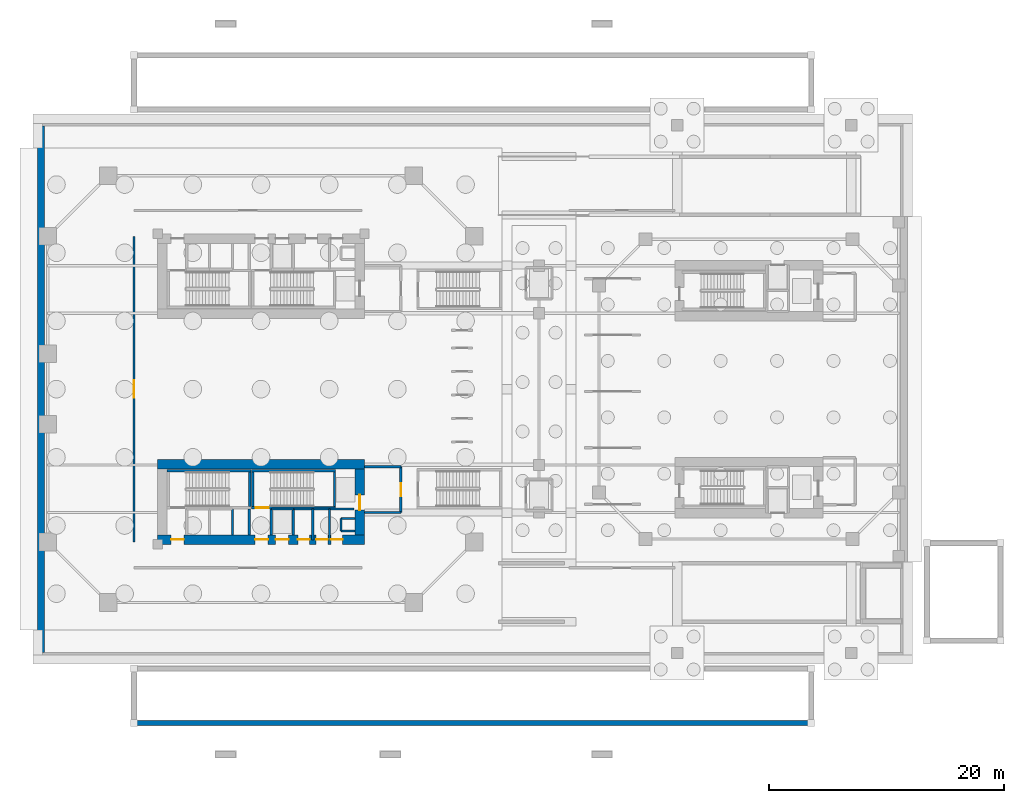
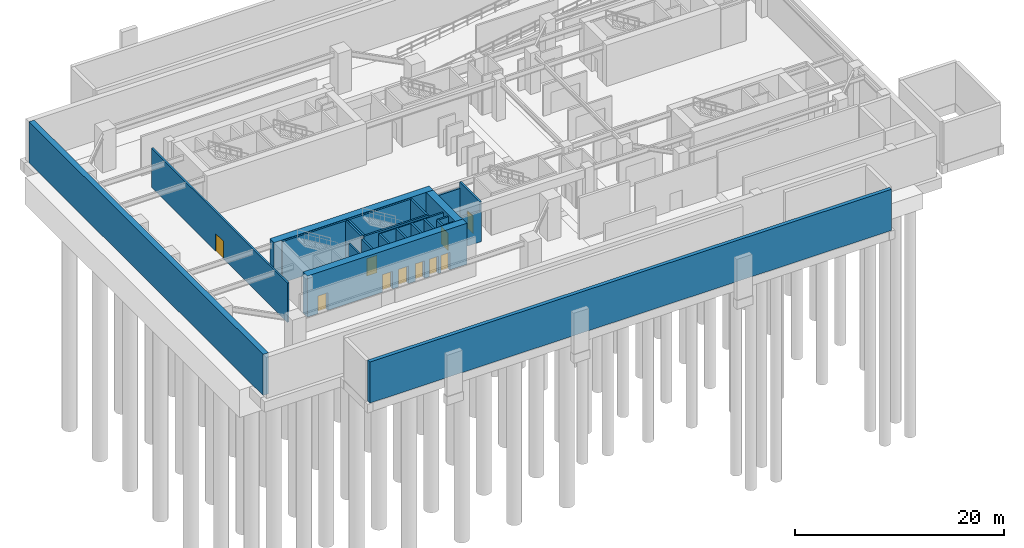
# One storey, part 4 of 13: 26 walls, 10 doors, 10 openings.
"""IFC4 building model written with IfcOpenShell, lengths in metres."""

from ifc_helpers import new_model, si_unit, direction, frame, frame_2d, origin, place, context, subcontext, project, spatial, rectangle, extrude, source, transform, mapped, material, layer, layer_set, type_object, element, fill, save


model = new_model("IFC4")

# Units and contexts
model_context = context("Model", 3, precision=1e-05, world=origin(), true_north=direction((0.0, 1.0)))
body_context = subcontext(model_context, "Body", "Model", "MODEL_VIEW")
ifc_project = project(units=[si_unit("LENGTHUNIT", "METRE"), si_unit("AREAUNIT", "SQUARE_METRE"), si_unit("VOLUMEUNIT", "CUBIC_METRE"), si_unit("PLANEANGLEUNIT", "RADIAN"), si_unit("MASSUNIT", "GRAM", prefix="KILO"), si_unit("THERMODYNAMICTEMPERATUREUNIT", "KELVIN"), si_unit("POWERUNIT", "WATT")], contexts=[model_context])

# Site, building, storey
site_placement = place(None, origin())
site = spatial("IfcSite", under=ifc_project, at=site_placement, CompositionType="ELEMENT")
building_placement = place(site_placement, origin())
building = spatial("IfcBuilding", under=site, at=building_placement, Name="Qiaomeng Ring Towers", CompositionType="ELEMENT")
storey_placement = place(building_placement, frame((0.0, 0.0, -9.60009765625)))
storey = spatial("IfcBuildingStorey", under=building, at=storey_placement, Name="B2", CompositionType="ELEMENT", Elevation=-9.60009765625)

# Walls
ifc_material_1 = material(Name="Autoclaved aerated concrete block", Category="concrete")
ifc_layer_1 = layer(ifc_material_1, 0.199951171875, Name="Autoclaved aerated concrete block")
ifc_layer_set_1 = layer_set([ifc_layer_1], Name="Autoclaved aerated concrete block")
wall_type_1 = type_object("IfcWallType", Name="ARC-WL-PW1", PredefinedType="PARTITIONING", material=ifc_layer_set_1)
wall_1_placement = place(storey_placement, frame((27.800048828125, 16.39990234375, 0.0), z_axis=(0.0, 0.0, 1.0), x_axis=(1.0, 0.0, 0.0)))
element("IfcWall", 1, at=wall_1_placement, inside=storey, type_object=wall_type_1, Name="B2 Interior Wall PW1", PredefinedType="PARTITIONING", context=body_context, shape_type="SweptSolid", body=[
    extrude(rectangle(XDim=3.099853515625, YDim=0.199951171875, at=frame_2d((1.5498046875, 0.0))), origin(), (0.0, 0.0, 1.0), 3.875),
])
wall_2_placement = place(storey_placement, frame((27.800048828125, 12.5, 0.0), z_axis=(0.0, 0.0, 1.0), x_axis=(1.0, 0.0, 0.0)))
element("IfcWall", 2, at=wall_2_placement, inside=storey, type_object=wall_type_1, Name="B2 Interior Wall PW1", PredefinedType="PARTITIONING", context=body_context, shape_type="SweptSolid", body=[
    extrude(rectangle(XDim=3.099853515625, YDim=0.199951171875, at=frame_2d((1.5498046875, 0.0))), origin(), (0.0, 0.0, 1.0), 3.5751953125),
])

# Wall, opening, door
wall_3_placement = place(storey_placement, frame((30.89990234375, 12.5, 0.0), z_axis=(0.0, 0.0, 1.0), x_axis=(0.0, 1.0, 0.0)))
wall_3 = element("IfcWall", 3, at=wall_3_placement, inside=storey, type_object=wall_type_1, Name="B2 Interior Wall PW1", PredefinedType="PARTITIONING", context=body_context, shape_type="SweptSolid", body=[
    extrude(rectangle(XDim=3.89990234375, YDim=0.199951171875, at=frame_2d((1.949951171875, 0.0))), origin(), (0.0, 0.0, 1.0), 4.580078125),
])
opening_1_placement = place(wall_3_placement, frame((1.39990234375, 0.0, 0.0)))
opening_1 = element("IfcOpeningElement", 4, at=opening_1_placement, cuts=wall_3, Name="Opening FD3", PredefinedType="OPENING", context=body_context, shape_type="SweptSolid", body=[
    extrude(rectangle(XDim=1.10009765625, YDim=2.050048828125, at=frame_2d((0.550048828125, 1.02490234375))), frame((0.0, 0.10986328125, 0.0), z_axis=(0.0, -1.0, 0.0), x_axis=(1.0, 0.0, 0.0)), (0.0, 0.0, 1.0), 0.219970703125),
])
ifc_material_2 = material(Name="Galvanised steel", Category="steel")
door_type_1 = type_object("IfcDoorType", Name="ARC-DR-FD3", OperationType="NOTDEFINED", PredefinedType="DOOR", material=ifc_material_2)
shared_shape_1 = source(origin(), body_context, "Body", "SweptSolid", [
    extrude(rectangle(XDim=1.10009765625, YDim=2.050048828125, at=frame_2d((0.550048828125, 1.02490234375))), frame((0.0, 0.02490234375, 0.0), z_axis=(0.0, -1.0, 0.0), x_axis=(1.0, 0.0, 0.0)), (0.0, 0.0, 1.0), 0.050048828125),
])
door_1_placement = place(opening_1_placement, origin())
door_1 = element("IfcDoor", 5, at=door_1_placement, inside=storey, type_object=door_type_1, Name="B2 South FF Lobby Door", OperationType="SINGLE_SWING_RIGHT", OverallHeight=2.050048828125, OverallWidth=1.10009765625, PredefinedType="DOOR", context=body_context, shape_type="MappedRepresentation", body=[
    mapped(shared_shape_1, transform((0.0, 0.0, 0.0), x_axis=(1.0, 0.0, 0.0), y_axis=(0.0, 1.0, 0.0), z_axis=(0.0, 0.0, 1.0), scale=1.0)),
])
fill(opening_1, door_1)

# Walls
for number, where, z_axis, x_axis, name in (
    (6, (18.0, 10.60009765625, 0.0), (0.0, 0.0, 1.0), (0.0, 1.0, 0.0), "B2 Interior Wall PW1"),
    (7, (19.8798828125, 10.60009765625, 0.0), (0.0, 0.0, 1.0), (0.0, 1.0, 0.0), "B2 Interior Wall PW1"),
):
    element("IfcWall", number, at=place(storey_placement, frame(where, z_axis=z_axis, x_axis=x_axis)), inside=storey, type_object=wall_type_1, Name=name, PredefinedType="PARTITIONING", context=body_context, shape_type="SweptSolid", body=[
        extrude(rectangle(XDim=2.2099609375, YDim=0.199951171875, at=frame_2d((1.10498046875, 0.0))), origin(), (0.0, 0.0, 1.0), 4.580078125),
    ])
wall_4_placement = place(storey_placement, frame((24.820068359375, 10.14990234375, 0.0), z_axis=(0.0, 0.0, 1.0), x_axis=(0.0, 1.0, 0.0)))
element("IfcWall", 8, at=wall_4_placement, inside=storey, type_object=wall_type_1, Name="B2 Interior Wall PW1", PredefinedType="PARTITIONING", context=body_context, shape_type="SweptSolid", body=[
    extrude(rectangle(XDim=2.650146484375, YDim=0.199951171875, at=frame_2d((1.3251953125, 0.0))), origin(), (0.0, 0.0, 1.0), 4.580078125),
])
wall_5_placement = place(storey_placement, frame((21.75, 10.60009765625, 0.0), z_axis=(0.0, 0.0, 1.0), x_axis=(0.0, 1.0, 0.0)))
element("IfcWall", 9, at=wall_5_placement, inside=storey, type_object=wall_type_1, Name="B2 Interior Wall PW1", PredefinedType="PARTITIONING", context=body_context, shape_type="SweptSolid", body=[
    extrude(rectangle(XDim=2.199951171875, YDim=0.199951171875, at=frame_2d((1.10009765625, 0.0))), origin(), (0.0, 0.0, 1.0), 4.580078125),
])
wall_6_placement = place(storey_placement, frame((23.389892578125, 10.14990234375, 0.0), z_axis=(0.0, 0.0, 1.0), x_axis=(0.0, 1.0, 0.0)))
element("IfcWall", 10, at=wall_6_placement, inside=storey, type_object=wall_type_1, Name="B2 Interior Wall PW1", PredefinedType="PARTITIONING", context=body_context, shape_type="SweptSolid", body=[
    extrude(rectangle(XDim=2.650146484375, YDim=0.199951171875, at=frame_2d((1.3251953125, 0.0))), origin(), (0.0, 0.0, 1.0), 4.580078125),
])
wall_7_placement = place(storey_placement, frame((21.75, 12.800048828125, 0.0), z_axis=(0.0, 0.0, 1.0), x_axis=(1.0, 0.0, 0.0)))
element("IfcWall", 11, at=wall_7_placement, inside=storey, type_object=wall_type_1, Name="B2 Interior Wall PW1", PredefinedType="PARTITIONING", context=body_context, shape_type="SweptSolid", body=[
    extrude(rectangle(XDim=5.169921875, YDim=0.199951171875, at=frame_2d((2.5849609375, 0.0))), origin(), (0.0, 0.0, 1.0), 4.580078125),
])

# Wall, opening, door
wall_8_placement = place(storey_placement, frame((8.199951171875, 10.0, 0.0), z_axis=(0.0, 0.0, 1.0), x_axis=(0.0, 1.0, 0.0)))
wall_8 = element("IfcWall", 12, at=wall_8_placement, inside=storey, type_object=wall_type_1, Name="B2 Interior Wall PW1", PredefinedType="PARTITIONING", context=body_context, shape_type="SweptSolid", body=[
    extrude(rectangle(XDim=26.0, YDim=0.199951171875, at=frame_2d((13.0, 0.0))), origin(), (0.0, 0.0, 1.0), 4.580078125),
])
opening_2_placement = place(wall_8_placement, frame((12.25, 0.0, 0.0)))
opening_2 = element("IfcOpeningElement", 13, at=opening_2_placement, cuts=wall_8, Name="Opening FD2", PredefinedType="OPENING", context=body_context, shape_type="SweptSolid", body=[
    extrude(rectangle(XDim=1.5, YDim=2.050048828125, at=frame_2d((0.75, 1.02490234375))), frame((0.0, 0.10986328125, 0.0), z_axis=(0.0, -1.0, 0.0), x_axis=(1.0, 0.0, 0.0)), (0.0, 0.0, 1.0), 0.219970703125),
])
door_type_2 = type_object("IfcDoorType", Name="ARC-DR-FD2", OperationType="NOTDEFINED", PredefinedType="DOOR", material=ifc_material_2)
shared_shape_2 = source(origin(), body_context, "Body", "SweptSolid", [
    extrude(rectangle(XDim=1.5, YDim=2.050048828125, at=frame_2d((0.75, 1.02490234375))), frame((0.0, 0.02490234375, 0.0), z_axis=(0.0, -1.0, 0.0), x_axis=(1.0, 0.0, 0.0)), (0.0, 0.0, 1.0), 0.050048828125),
])
door_2_placement = place(opening_2_placement, origin())
door_2 = element("IfcDoor", 14, at=door_2_placement, inside=storey, type_object=door_type_2, Name="B2 Central Chiller and Heat Pump Plant Room Door", OperationType="SINGLE_SWING_RIGHT", OverallHeight=2.050048828125, OverallWidth=1.5, PredefinedType="DOOR", context=body_context, shape_type="MappedRepresentation", body=[
    mapped(shared_shape_2, transform((0.0, 0.0, 0.0), x_axis=(1.0, 0.0, 0.0), y_axis=(0.0, 1.0, 0.0), z_axis=(0.0, 0.0, 1.0), scale=1.0)),
])
fill(opening_2, door_2)

# Walls
ifc_material_3 = material(Name="Concrete C40", Category="concrete")
ifc_layer_2 = layer(ifc_material_3, 0.60009765625, Name="Concrete C40")
ifc_layer_set_2 = layer_set([ifc_layer_2], Name="Concrete C40")
wall_type_2 = type_object("IfcWallType", Name="STR-WL-BW1", PredefinedType="SOLIDWALL", material=ifc_layer_set_2)
wall_9_placement = place(storey_placement, frame((0.300048828125, 0.60009765625, 0.0), z_axis=(0.0, 0.0, 1.0), x_axis=(0.0, 1.0, 0.0)))
element("IfcWall", 15, at=wall_9_placement, inside=storey, type_object=wall_type_2, Name="B2 RET west core shear wall", PredefinedType="SOLIDWALL", context=body_context, shape_type="SweptSolid", body=[
    extrude(rectangle(XDim=44.7998046875, YDim=0.60009765625, at=frame_2d((22.39990234375, 0.0))), origin(), (0.0, 0.0, 1.0), 4.800048828125),
])
ifc_layer_3 = layer(ifc_material_3, 0.39990234375, Name="Concrete C40")
ifc_layer_set_3 = layer_set([ifc_layer_3], Name="Concrete C40")
wall_type_3 = type_object("IfcWallType", Name="STR-WL-BW2", PredefinedType="SOLIDWALL", material=ifc_layer_set_3)
wall_10_placement = place(storey_placement, frame((8.199951171875, -5.39990234375, 0.0), z_axis=(0.0, 0.0, 1.0), x_axis=(1.0, 0.0, 0.0)))
element("IfcWall", 16, at=wall_10_placement, inside=storey, type_object=wall_type_3, Name="B2 Apron Retaining Plinth Wall PLZ-S-S", PredefinedType="SOLIDWALL", context=body_context, shape_type="SweptSolid", body=[
    extrude(rectangle(XDim=57.60009765625, YDim=0.39990234375, at=frame_2d((28.800048828125, 0.0))), origin(), (0.0, 0.0, 1.0), 4.800048828125),
])
ifc_layer_4 = layer(ifc_material_3, 0.199951171875, Name="Concrete C40")
ifc_layer_set_4 = layer_set([ifc_layer_4], Name="Concrete C40")
wall_type_4 = type_object("IfcWallType", Name="STR-WL-STSHAFT", PredefinedType="SHEAR", material=ifc_layer_set_4)
wall_11_placement = place(storey_placement, frame((25.800048828125, 10.919921875, 0.0), z_axis=(0.0, 0.0, 1.0), x_axis=(0.0, 1.0, 0.0)))
element("IfcWall", 17, at=wall_11_placement, inside=storey, type_object=wall_type_4, Name="B2 Riser RSR1 West Shaft Wall S", PredefinedType="SHEAR", context=body_context, shape_type="SweptSolid", body=[
    extrude(rectangle(XDim=1.06005859375, YDim=0.179931640625, at=frame_2d((0.530029296875, 0.0))), origin(), (0.0, 0.0, 1.0), 4.580078125),
])
for number, where, z_axis, x_axis, name in (
    (18, (25.800048828125, 11.97998046875, 0.0), (0.0, 0.0, 1.0), (1.0, 0.0, 0.0), "B2 Riser RSR1 North Shaft Wall S"),
    (19, (25.800048828125, 10.919921875, 0.0), (0.0, 0.0, 1.0), (1.0, 0.0, 0.0), "B2 Riser RSR1 South Shaft Wall S"),
):
    element("IfcWall", number, at=place(storey_placement, frame(where, z_axis=z_axis, x_axis=x_axis)), inside=storey, type_object=wall_type_4, Name=name, PredefinedType="SHEAR", context=body_context, shape_type="SweptSolid", body=[
        extrude(rectangle(XDim=1.199951171875, YDim=0.179931640625, at=frame_2d((0.60009765625, 0.0))), origin(), (0.0, 0.0, 1.0), 4.580078125),
    ])
wall_12_placement = place(storey_placement, frame((16.580078125, 10.60009765625, 0.0), z_axis=(0.0, 0.0, 1.0), x_axis=(0.0, 1.0, 0.0)))
element("IfcWall", 20, at=wall_12_placement, inside=storey, type_object=wall_type_4, Name="B2 Lift LP4 East Shaft Wall", PredefinedType="SHEAR", context=body_context, shape_type="SweptSolid", body=[
    extrude(rectangle(XDim=2.199951171875, YDim=0.179931640625, at=frame_2d((1.10009765625, 0.0))), origin(), (0.0, 0.0, 1.0), 4.580078125),
])
wall_13_placement = place(storey_placement, frame((19.8798828125, 12.800048828125, 0.0), z_axis=(0.0, 0.0, 1.0), x_axis=(1.0, 0.0, 0.0)))
element("IfcWall", 21, at=wall_13_placement, inside=storey, type_object=wall_type_4, Name="B2 Lift LP2 Shaft Back Wall", PredefinedType="SHEAR", context=body_context, shape_type="SweptSolid", body=[
    extrude(rectangle(XDim=1.8701171875, YDim=0.179931640625, at=frame_2d((0.93505859375, 0.0))), origin(), (0.0, 0.0, 1.0), 4.580078125),
])
wall_14_placement = place(storey_placement, frame((11.0, 16.050048828125, 0.0), z_axis=(0.0, 0.0, 1.0), x_axis=(1.0, 0.0, 0.0)))
element("IfcWall", 22, at=wall_14_placement, inside=storey, type_object=wall_type_4, Name="B2 Stair ST3 North Shaft Shear Wall", PredefinedType="SHEAR", context=body_context, shape_type="SweptSolid", body=[
    extrude(rectangle(XDim=7.14990234375, YDim=0.199951171875, at=frame_2d((3.574951171875, 0.0))), origin(), (0.0, 0.0, 1.0), 4.800048828125),
])
wall_15_placement = place(storey_placement, frame((18.050048828125, 13.010009765625, 0.0), z_axis=(0.0, 0.0, 1.0), x_axis=(0.0, 1.0, 0.0)))
element("IfcWall", 23, at=wall_15_placement, inside=storey, type_object=wall_type_4, Name="B2 Stair ST3 East Shaft Shear Wall", PredefinedType="SHEAR", context=body_context, shape_type="SweptSolid", body=[
    extrude(rectangle(XDim=2.93994140625, YDim=0.199951171875, at=frame_2d((1.469970703125, 0.0))), origin(), (0.0, 0.0, 1.0), 4.800048828125),
])

# Wall, opening, door
wall_16_placement = place(storey_placement, frame((18.199951171875, 12.909912109375, 0.0), z_axis=(0.0, 0.0, 1.0), x_axis=(1.0, 0.0, 0.0)))
wall_16 = element("IfcWall", 24, at=wall_16_placement, inside=storey, type_object=wall_type_4, Name="B2 Stair ST4 South Shaft Shear Wall", PredefinedType="SHEAR", context=body_context, shape_type="SweptSolid", body=[
    extrude(rectangle(XDim=7.150146484375, YDim=0.199951171875, at=frame_2d((3.5751953125, 0.0))), origin(), (0.0, 0.0, 1.0), 4.800048828125),
])
opening_3_placement = place(wall_16_placement, frame((0.35009765625, 0.0, 0.0)))
opening_3 = element("IfcOpeningElement", 25, at=opening_3_placement, cuts=wall_16, Name="Opening FD3", PredefinedType="OPENING", context=body_context, shape_type="SweptSolid", body=[
    extrude(rectangle(XDim=1.10009765625, YDim=2.050048828125, at=frame_2d((0.550048828125, 1.02490234375))), frame((0.0, 0.10986328125, 0.0), z_axis=(0.0, -1.0, 0.0), x_axis=(1.0, 0.0, 0.0)), (0.0, 0.0, 1.0), 0.219970703125),
])
door_3_placement = place(opening_3_placement, frame((1.10009765625, 0.0, 0.0), z_axis=(0.0, 0.0, 1.0), x_axis=(-1.0, 0.0, 0.0)))
door_3 = element("IfcDoor", 26, at=door_3_placement, inside=storey, type_object=door_type_1, Name="B2 Stair ST4 Exit Door", OperationType="SINGLE_SWING_RIGHT", OverallHeight=2.050048828125, OverallWidth=1.10009765625, PredefinedType="DOOR", context=body_context, shape_type="MappedRepresentation", body=[
    mapped(shared_shape_1, transform((0.0, 0.0, 0.0), x_axis=(1.0, 0.0, 0.0), y_axis=(0.0, 1.0, 0.0), z_axis=(0.0, 0.0, 1.0), scale=1.0)),
])
fill(opening_3, door_3)

# Walls
wall_17_placement = place(storey_placement, frame((18.199951171875, 16.050048828125, 0.0), z_axis=(0.0, 0.0, 1.0), x_axis=(1.0, 0.0, 0.0)))
element("IfcWall", 27, at=wall_17_placement, inside=storey, type_object=wall_type_4, Name="B2 Stair ST4 North Shaft Shear Wall", PredefinedType="SHEAR", context=body_context, shape_type="SweptSolid", body=[
    extrude(rectangle(XDim=7.150146484375, YDim=0.199951171875, at=frame_2d((3.5751953125, 0.0))), origin(), (0.0, 0.0, 1.0), 4.800048828125),
])
for number, where, z_axis, x_axis, name in (
    (28, (18.300048828125, 13.010009765625, 0.0), (0.0, 0.0, 1.0), (0.0, 1.0, 0.0), "B2 Stair ST4 West Shaft Shear Wall"),
    (29, (25.25, 13.010009765625, 0.0), (0.0, 0.0, 1.0), (0.0, 1.0, 0.0), "B2 Stair ST4 East Shaft Shear Wall"),
):
    element("IfcWall", number, at=place(storey_placement, frame(where, z_axis=z_axis, x_axis=x_axis)), inside=storey, type_object=wall_type_4, Name=name, PredefinedType="SHEAR", context=body_context, shape_type="SweptSolid", body=[
        extrude(rectangle(XDim=2.93994140625, YDim=0.199951171875, at=frame_2d((1.469970703125, 0.0))), origin(), (0.0, 0.0, 1.0), 4.800048828125),
    ])

# Wall, openings, doors
ifc_material_4 = material(Name="Concrete C60", Category="concrete")
ifc_layer_5 = layer(ifc_material_4, 0.800048828125, Name="Concrete C60")
ifc_layer_set_5 = layer_set([ifc_layer_5], Name="Concrete C60")
wall_type_5 = type_object("IfcWallType", Name="STR-WL-SW1", PredefinedType="SHEAR", material=ifc_layer_set_5)
wall_18_placement = place(storey_placement, frame((10.199951171875, 10.199951171875, 0.0), z_axis=(0.0, 0.0, 1.0), x_axis=(1.0, 0.0, 0.0)))
wall_18 = element("IfcWall", 30, at=wall_18_placement, inside=storey, type_object=wall_type_5, Name="B2 T1SC south core shear wall", PredefinedType="SHEAR", context=body_context, shape_type="SweptSolid", body=[
    extrude(rectangle(XDim=17.60009765625, YDim=0.800048828125, at=frame_2d((8.800048828125, 0.0))), origin(), (0.0, 0.0, 1.0), 4.800048828125),
])
opening_4_placement = place(wall_18_placement, frame((1.14990234375, 0.0, 0.0)))
opening_4 = element("IfcOpeningElement", 31, at=opening_4_placement, cuts=wall_18, Name="Opening FD3", PredefinedType="OPENING", context=body_context, shape_type="SweptSolid", body=[
    extrude(rectangle(XDim=1.10009765625, YDim=2.050048828125, at=frame_2d((0.550048828125, 1.02490234375))), frame((0.0, 0.409912109375, 0.0), z_axis=(0.0, -1.0, 0.0), x_axis=(1.0, 0.0, 0.0)), (0.0, 0.0, 1.0), 0.820068359375),
])
opening_5_placement = place(wall_18_placement, frame((8.300048828125, 0.0, 0.0)))
opening_5 = element("IfcOpeningElement", 32, at=opening_5_placement, cuts=wall_18, Name="Opening FD3", PredefinedType="OPENING", context=body_context, shape_type="SweptSolid", body=[
    extrude(rectangle(XDim=1.10009765625, YDim=2.050048828125, at=frame_2d((0.550048828125, 1.02490234375))), frame((0.0, 0.409912109375, 0.0), z_axis=(0.0, -1.0, 0.0), x_axis=(1.0, 0.0, 0.0)), (0.0, 0.0, 1.0), 0.820068359375),
])
opening_6_placement = place(wall_18_placement, frame((10.050048828125, 0.0, 0.0)))
opening_6 = element("IfcOpeningElement", 33, at=opening_6_placement, cuts=wall_18, Name="Opening LD1", PredefinedType="OPENING", context=body_context, shape_type="SweptSolid", body=[
    extrude(rectangle(XDim=1.10009765625, YDim=2.050048828125, at=frame_2d((0.550048828125, 1.02490234375))), frame((0.0, 0.409912109375, 0.0), z_axis=(0.0, -1.0, 0.0), x_axis=(1.0, 0.0, 0.0)), (0.0, 0.0, 1.0), 0.820068359375),
])
opening_7_placement = place(wall_18_placement, frame((14.739990234375, 0.0, 0.0)))
opening_7 = element("IfcOpeningElement", 34, at=opening_7_placement, cuts=wall_18, Name="Opening FD1", PredefinedType="OPENING", context=body_context, shape_type="SweptSolid", body=[
    extrude(rectangle(XDim=1.0, YDim=2.050048828125, at=frame_2d((0.5, 1.02490234375))), frame((0.0, 0.409912109375, 0.0), z_axis=(0.0, -1.0, 0.0), x_axis=(1.0, 0.0, 0.0)), (0.0, 0.0, 1.0), 0.820068359375),
])
opening_8_placement = place(wall_18_placement, frame((11.945068359375, 0.0, 0.0)))
opening_8 = element("IfcOpeningElement", 35, at=opening_8_placement, cuts=wall_18, Name="Opening FD1", PredefinedType="OPENING", context=body_context, shape_type="SweptSolid", body=[
    extrude(rectangle(XDim=1.0, YDim=2.050048828125, at=frame_2d((0.5, 1.02490234375))), frame((0.0, 0.409912109375, 0.0), z_axis=(0.0, -1.0, 0.0), x_axis=(1.0, 0.0, 0.0)), (0.0, 0.0, 1.0), 0.820068359375),
])
opening_9_placement = place(wall_18_placement, frame((13.47998046875, 0.0, 0.0)))
opening_9 = element("IfcOpeningElement", 36, at=opening_9_placement, cuts=wall_18, Name="Opening FD1", PredefinedType="OPENING", context=body_context, shape_type="SweptSolid", body=[
    extrude(rectangle(XDim=1.0, YDim=2.050048828125, at=frame_2d((0.5, 1.02490234375))), frame((0.0, 0.409912109375, 0.0), z_axis=(0.0, -1.0, 0.0), x_axis=(1.0, 0.0, 0.0)), (0.0, 0.0, 1.0), 0.820068359375),
])
door_4_placement = place(opening_4_placement, origin())
door_4 = element("IfcDoor", 37, at=door_4_placement, inside=storey, type_object=door_type_1, Name="B2 Stair ST3 Lobby Door", OperationType="SINGLE_SWING_LEFT", OverallHeight=2.050048828125, OverallWidth=1.10009765625, PredefinedType="DOOR", context=body_context, shape_type="MappedRepresentation", body=[
    mapped(shared_shape_1, transform((0.0, 0.0, 0.0), x_axis=(1.0, 0.0, 0.0), y_axis=(0.0, 1.0, 0.0), z_axis=(0.0, 0.0, 1.0), scale=1.0)),
])
fill(opening_4, door_4)
door_5_placement = place(opening_5_placement, origin())
door_5 = element("IfcDoor", 38, at=door_5_placement, inside=storey, type_object=door_type_1, Name="B2 Stair ST4 Lobby Door", OperationType="SINGLE_SWING_LEFT", OverallHeight=2.050048828125, OverallWidth=1.10009765625, PredefinedType="DOOR", context=body_context, shape_type="MappedRepresentation", body=[
    mapped(shared_shape_1, transform((0.0, 0.0, 0.0), x_axis=(1.0, 0.0, 0.0), y_axis=(0.0, 1.0, 0.0), z_axis=(0.0, 0.0, 1.0), scale=1.0)),
])
fill(opening_5, door_5)
ifc_material_5 = material(Name="Stainless steel 316", Category="steel")
door_type_3 = type_object("IfcDoorType", Name="ARC-DR-LD1", OperationType="NOTDEFINED", PredefinedType="DOOR", material=ifc_material_5)
door_6_placement = place(opening_6_placement, origin())
door_6 = element("IfcDoor", 39, at=door_6_placement, inside=storey, type_object=door_type_3, Name="B2 Low-Zone Lift LP2 Landing Door", OperationType="SLIDING_TO_RIGHT", OverallHeight=2.050048828125, OverallWidth=1.10009765625, PredefinedType="DOOR", context=body_context, shape_type="MappedRepresentation", body=[
    mapped(shared_shape_1, transform((0.0, 0.0, 0.0), x_axis=(1.0, 0.0, 0.0), y_axis=(0.0, 1.0, 0.0), z_axis=(0.0, 0.0, 1.0), scale=1.0)),
])
fill(opening_6, door_6)
door_type_4 = type_object("IfcDoorType", Name="ARC-DR-FD1", OperationType="NOTDEFINED", PredefinedType="DOOR", material=ifc_material_2)
shared_shape_3 = source(origin(), body_context, "Body", "SweptSolid", [
    extrude(rectangle(XDim=1.0, YDim=2.050048828125, at=frame_2d((0.5, 1.02490234375))), frame((0.0, 0.02490234375, 0.0), z_axis=(0.0, -1.0, 0.0), x_axis=(1.0, 0.0, 0.0)), (0.0, 0.0, 1.0), 0.050048828125),
])
door_7_placement = place(opening_7_placement, origin())
door_7 = element("IfcDoor", 40, at=door_7_placement, inside=storey, type_object=door_type_4, Name="B2 South Electrical Riser Door", OperationType="SINGLE_SWING_RIGHT", OverallHeight=2.050048828125, OverallWidth=1.0, PredefinedType="DOOR", context=body_context, shape_type="MappedRepresentation", body=[
    mapped(shared_shape_3, transform((0.0, 0.0, 0.0), x_axis=(1.0, 0.0, 0.0), y_axis=(0.0, 1.0, 0.0), z_axis=(0.0, 0.0, 1.0), scale=1.0)),
])
fill(opening_7, door_7)
door_8_placement = place(opening_8_placement, origin())
door_8 = element("IfcDoor", 41, at=door_8_placement, inside=storey, type_object=door_type_4, Name="B2 South Ventilation Plant Room Door", OperationType="SINGLE_SWING_RIGHT", OverallHeight=2.050048828125, OverallWidth=1.0, PredefinedType="DOOR", context=body_context, shape_type="MappedRepresentation", body=[
    mapped(shared_shape_3, transform((0.0, 0.0, 0.0), x_axis=(1.0, 0.0, 0.0), y_axis=(0.0, 1.0, 0.0), z_axis=(0.0, 0.0, 1.0), scale=1.0)),
])
fill(opening_8, door_8)
door_9_placement = place(opening_9_placement, origin())
door_9 = element("IfcDoor", 42, at=door_9_placement, inside=storey, type_object=door_type_4, Name="B2 South Linen Store Door", OperationType="SINGLE_SWING_LEFT", OverallHeight=2.050048828125, OverallWidth=1.0, PredefinedType="DOOR", context=body_context, shape_type="MappedRepresentation", body=[
    mapped(shared_shape_3, transform((0.0, 0.0, 0.0), x_axis=(1.0, 0.0, 0.0), y_axis=(0.0, 1.0, 0.0), z_axis=(0.0, 0.0, 1.0), scale=1.0)),
])
fill(opening_9, door_9)

# Wall
wall_19_placement = place(storey_placement, frame((10.199951171875, 16.60009765625, 0.0), z_axis=(0.0, 0.0, 1.0), x_axis=(1.0, 0.0, 0.0)))
element("IfcWall", 43, at=wall_19_placement, inside=storey, type_object=wall_type_5, Name="B2 T1SC north core shear wall", PredefinedType="SHEAR", context=body_context, shape_type="SweptSolid", body=[
    extrude(rectangle(XDim=17.60009765625, YDim=0.800048828125, at=frame_2d((8.800048828125, 0.0))), origin(), (0.0, 0.0, 1.0), 4.800048828125),
])

# Wall, opening, door
wall_20_placement = place(storey_placement, frame((27.39990234375, 10.60009765625, 0.0), z_axis=(0.0, 0.0, 1.0), x_axis=(0.0, 1.0, 0.0)))
wall_20 = element("IfcWall", 44, at=wall_20_placement, inside=storey, type_object=wall_type_5, Name="B2 T1SC east core shear wall", PredefinedType="SHEAR", context=body_context, shape_type="SweptSolid", body=[
    extrude(rectangle(XDim=5.599853515625, YDim=0.800048828125, at=frame_2d((2.7998046875, 0.0))), origin(), (0.0, 0.0, 1.0), 4.800048828125),
])
opening_10_placement = place(wall_20_placement, frame((2.10009765625, 0.0, 0.0)))
opening_10 = element("IfcOpeningElement", 45, at=opening_10_placement, cuts=wall_20, Name="Opening LD2", PredefinedType="OPENING", context=body_context, shape_type="SweptSolid", body=[
    extrude(rectangle(XDim=1.300048828125, YDim=2.050048828125, at=frame_2d((0.64990234375, 1.02490234375))), frame((0.0, 0.409912109375, 0.0), z_axis=(0.0, -1.0, 0.0), x_axis=(1.0, 0.0, 0.0)), (0.0, 0.0, 1.0), 0.820068359375),
])
door_type_5 = type_object("IfcDoorType", Name="ARC-DR-LD2", OperationType="NOTDEFINED", PredefinedType="DOOR", material=ifc_material_5)
shared_shape_4 = source(origin(), body_context, "Body", "SweptSolid", [
    extrude(rectangle(XDim=1.300048828125, YDim=2.050048828125, at=frame_2d((0.64990234375, 1.02490234375))), frame((0.0, 0.02490234375, 0.0), z_axis=(0.0, -1.0, 0.0), x_axis=(1.0, 0.0, 0.0)), (0.0, 0.0, 1.0), 0.050048828125),
])
door_10_placement = place(opening_10_placement, origin())
door_10 = element("IfcDoor", 46, at=door_10_placement, inside=storey, type_object=door_type_5, Name="B2 Firefighting Lift FL2 Landing Door", OperationType="SLIDING_TO_RIGHT", OverallHeight=2.050048828125, OverallWidth=1.300048828125, PredefinedType="DOOR", context=body_context, shape_type="MappedRepresentation", body=[
    mapped(shared_shape_4, transform((0.0, 0.0, 0.0), x_axis=(1.0, 0.0, 0.0), y_axis=(0.0, 1.0, 0.0), z_axis=(0.0, 0.0, 1.0), scale=1.0)),
])
fill(opening_10, door_10)

save(model, "model.ifc")
